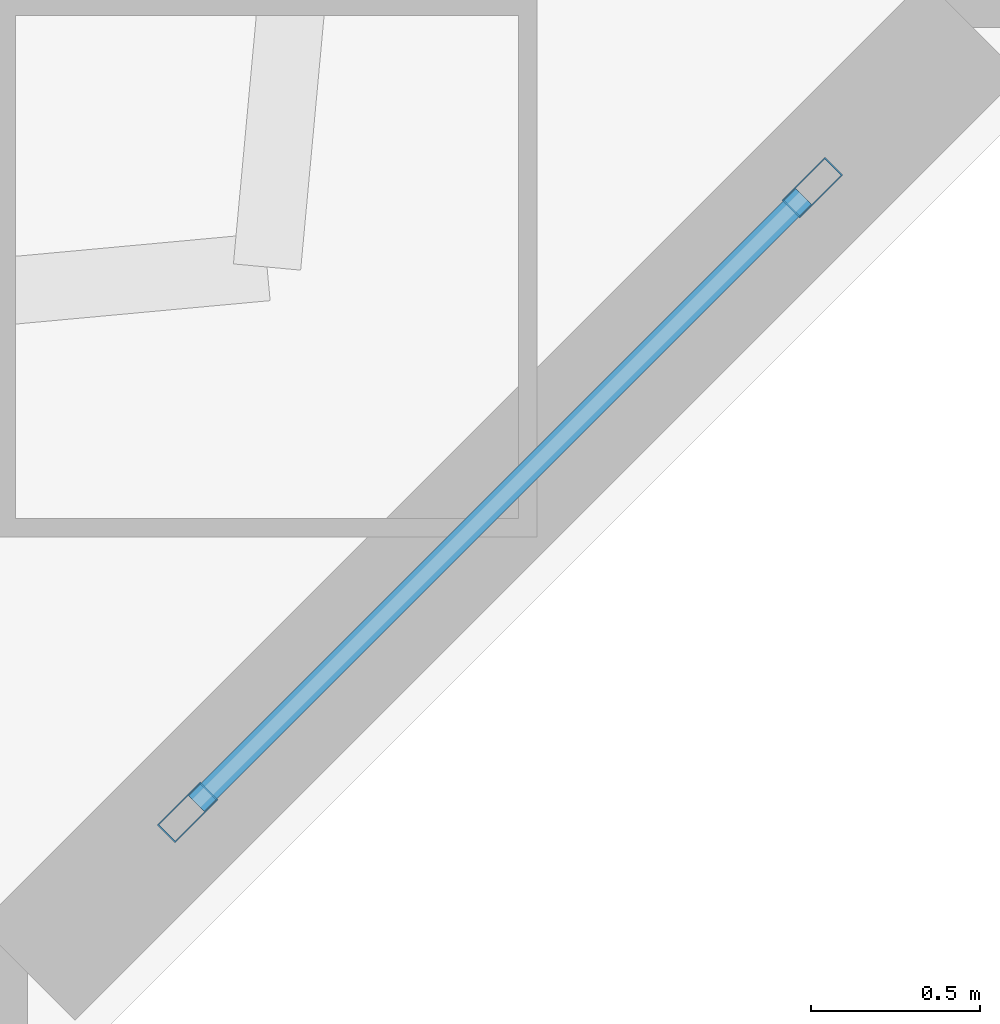
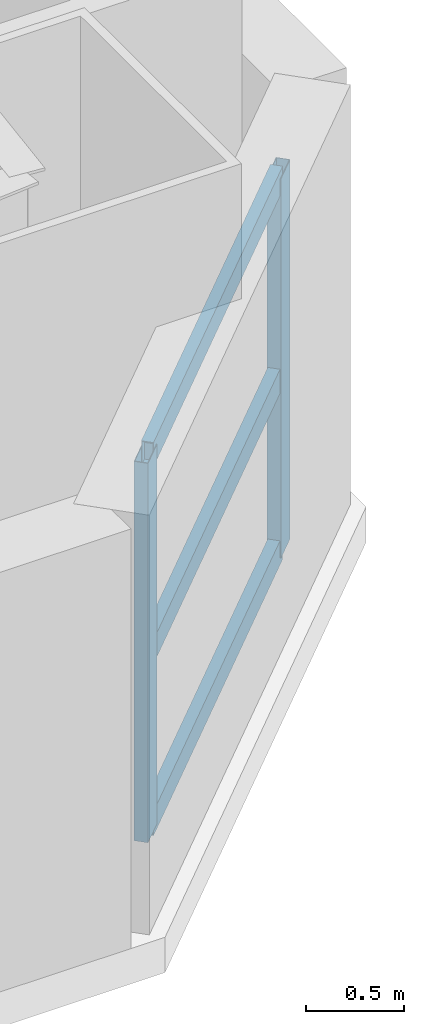
# One storey, part 3 of 24: 5 members, 1 element without a shape of its own.
"""IFC4 building model written with IfcOpenShell, lengths in metres."""

import ifcopenshell
import ifcopenshell.guid

model = None  # the IFC model being written
_history = None  # IfcOwnerHistory: only IFC2X3 demands one
_inside = {}  # id of a spatial element -> (the spatial element, [elements in it])
_under = {}  # id of a project, library or spatial element -> (it, [spatial elements below it])
_declared = {}  # id of a project -> (the project, [libraries it declares])
_typed = {}  # id of a type object -> (the type object, [elements of that type])
_made_of = {}  # id of a material, layer set ... -> (it, [elements and type objects made of it])


def new_model(schema):
    """Start an empty IFC model of exactly this schema.

    Asked for "IFC4X3", IfcOpenShell would pick the latest addendum, in which some entities
    have other attributes; the version numbers below select the first issue.
    IFC2X3 requires an IfcOwnerHistory on every rooted entity: one is made here for all.
    """
    global model, _history
    if schema == "IFC4X3":
        model = ifcopenshell.file(schema_version=(4, 3, 0, 0))
    else:
        model = ifcopenshell.file(schema=schema)
    _inside.clear()
    _under.clear()
    _declared.clear()
    _typed.clear()
    _made_of.clear()
    _history = None
    if model.schema == "IFC2X3":
        org = make("IfcOrganization", Name="unknown")
        user = make(
            "IfcPersonAndOrganization",
            ThePerson=make("IfcPerson", FamilyName="unknown"),
            TheOrganization=org,
        )
        app = make(
            "IfcApplication",
            ApplicationDeveloper=org,
            Version="unknown",
            ApplicationFullName="unknown",
            ApplicationIdentifier="unknown",
        )
        _history = make(
            "IfcOwnerHistory",
            OwningUser=user,
            OwningApplication=app,
            ChangeAction="ADDED",
            CreationDate=0,
        )
    return model


def make(cls, **values):
    """One entity of the class cls with the attributes given. An attribute that is None is left unset."""
    return model.create_entity(
        cls, **{name: value for name, value in values.items() if value is not None}
    )


def rooted(cls, **values):
    """An entity with a GlobalId (a new one), such as an element, a storey or a relation."""
    return make(cls, GlobalId=ifcopenshell.guid.new(), OwnerHistory=_history, **values)


def si_unit(unit_type, name, prefix=None):
    """IfcSIUnit, for example si_unit("LENGTHUNIT", "METRE", prefix="MILLI")."""
    return make("IfcSIUnit", UnitType=unit_type, Prefix=prefix, Name=name)


def assignment(units):
    """IfcUnitAssignment: the units of a project."""
    return None if units is None else make("IfcUnitAssignment", Units=units)


def point(xyz):
    """IfcCartesianPoint."""
    return None if xyz is None else make("IfcCartesianPoint", Coordinates=xyz)


def direction(xyz):
    """IfcDirection."""
    return None if xyz is None else make("IfcDirection", DirectionRatios=xyz)


def frame(location, z_axis=None, x_axis=None):
    """IfcAxis2Placement3D, a coordinate frame: its origin and axes. An axis left out is left unset."""
    return make(
        "IfcAxis2Placement3D",
        Location=point(location),
        Axis=direction(z_axis),
        RefDirection=direction(x_axis),
    )


def frame_2d(location, x_axis=None):
    """IfcAxis2Placement2D, a coordinate frame in the plane: its origin and x axis."""
    return make(
        "IfcAxis2Placement2D", Location=point(location), RefDirection=direction(x_axis)
    )


def origin():
    """The frame at (0, 0, 0) with its axes left unset."""
    return frame((0.0, 0.0, 0.0))


def origin_2d():
    """The frame at (0, 0) in the plane with its x axis left unset."""
    return frame_2d((0.0, 0.0))


def place(relative_to, where):
    """IfcLocalPlacement: puts the frame where relative to a parent placement (None: the world)."""
    return make(
        "IfcLocalPlacement", PlacementRelTo=relative_to, RelativePlacement=where
    )


def context(
    kind, dimensions, precision=None, world=None, true_north=None, identifier=None
):
    """IfcGeometricRepresentationContext, for example the 3D "Model" context."""
    return make(
        "IfcGeometricRepresentationContext",
        ContextIdentifier=identifier,
        ContextType=kind,
        CoordinateSpaceDimension=dimensions,
        Precision=precision,
        WorldCoordinateSystem=world,
        TrueNorth=true_north,
    )


def subcontext(parent, identifier, kind, view, scale=None):
    """IfcGeometricRepresentationSubContext, for example "Body" below "Model"."""
    return make(
        "IfcGeometricRepresentationSubContext",
        ContextIdentifier=identifier,
        ContextType=kind,
        ParentContext=parent,
        TargetScale=scale,
        TargetView=view,
    )


def project(units=None, contexts=None):
    """IfcProject with its units and contexts."""
    return rooted(
        "IfcProject",
        Name="project",
        RepresentationContexts=contexts,
        UnitsInContext=assignment(units),
    )


def spatial(cls, under=None, at=None, **own):
    """A site, building, storey or space (cls), placed at a placement, below another one or the project."""
    s = rooted(cls, ObjectPlacement=at, **own)
    if under is not None:
        _under.setdefault(under.id(), (under, []))[1].append(s)
    return s


def profile(cls, at=None, kind="AREA", **sizes):
    """A parametric profile (cls). Its sizes go by their IFC names, for example OverallWidth=200.0."""
    return make(cls, ProfileType=kind, Position=at, **sizes)


def hollow_rectangle(**sizes):
    """IfcRectangleHollowProfileDef."""
    return profile("IfcRectangleHollowProfileDef", **sizes)


def extrude(swept, where, along, depth):
    """IfcExtrudedAreaSolid: the profile swept, set in the frame where, extruded along a direction by depth."""
    return make(
        "IfcExtrudedAreaSolid",
        SweptArea=swept,
        Position=where,
        ExtrudedDirection=direction(along),
        Depth=depth,
    )


def shape(context_of_items, identifier, shape_type, items):
    """IfcShapeRepresentation: the items that make up one representation, for example the "Body"."""
    return make(
        "IfcShapeRepresentation",
        ContextOfItems=context_of_items,
        RepresentationIdentifier=identifier,
        RepresentationType=shape_type,
        Items=items,
    )


def material(Name=None, Category=None):
    """IfcMaterial."""
    return make("IfcMaterial", Name=Name, Category=Category)


def layer(
    of_material, thickness, ventilated=None, Name=None, Category=None, Priority=None
):
    """IfcMaterialLayer: one layer of a wall or slab, of a material (None: an air gap)."""
    return make(
        "IfcMaterialLayer",
        Material=of_material,
        LayerThickness=thickness,
        IsVentilated=ventilated,
        Name=Name,
        Category=Category,
        Priority=Priority,
    )


def layer_set(layers, Name=None):
    """IfcMaterialLayerSet."""
    return make("IfcMaterialLayerSet", MaterialLayers=layers, LayerSetName=Name)


def material_profile(
    of_material, cross_section, Name=None, Category=None, Priority=None
):
    """IfcMaterialProfile: a cross section and its material."""
    return make(
        "IfcMaterialProfile",
        Name=Name,
        Material=of_material,
        Profile=cross_section,
        Priority=Priority,
        Category=Category,
    )


def profile_set(profiles, Name=None, composite=None):
    """IfcMaterialProfileSet."""
    return make(
        "IfcMaterialProfileSet",
        Name=Name,
        MaterialProfiles=profiles,
        CompositeProfile=composite,
    )


def made_of(thing, what):
    """Note that an element or type object is made of a material, layer set ...; save() writes the relation."""
    if what is not None:
        _made_of.setdefault(what.id(), (what, []))[1].append(thing)
    return thing


def type_object(cls, material=None, **own):
    """A type object (cls), such as IfcWallType, which elements share."""
    return made_of(rooted(cls, **own), material)


def element(
    cls,
    number,
    at=None,
    inside=None,
    cuts=None,
    type_object=None,
    material=None,
    context=None,
    identifier="Body",
    shape_type=None,
    held_by="IfcProductDefinitionShape",
    body=None,
    shapes=None,
    **own,
):
    """One element of the class cls, such as IfcWall. Its Tag is "e" and its number.

    at: its placement. inside: the storey or other place that contains it. cuts: it is an
    opening in that element (IfcRelVoidsElement). A single representation is given by context,
    identifier, shape_type and body (its items); several are given by shapes. held_by: the class
    of the entity that holds the representations. save() writes the other relations.
    """
    e = rooted(cls, Tag="e%d" % number, ObjectPlacement=at, **own)
    if body is not None:
        shapes = [shape(context, identifier, shape_type, body)]
    if shapes is not None:
        e.Representation = make(held_by, Representations=shapes)
    if inside is not None:
        _inside.setdefault(inside.id(), (inside, []))[1].append(e)
    if cuts is not None:
        rooted(
            "IfcRelVoidsElement", RelatingBuildingElement=cuts, RelatedOpeningElement=e
        )
    if type_object is not None:
        _typed.setdefault(type_object.id(), (type_object, []))[1].append(e)
    return made_of(e, material)


def aggregate(whole, parts):
    """IfcRelAggregates: a whole, such as a stair, and the parts it consists of."""
    return rooted("IfcRelAggregates", RelatingObject=whole, RelatedObjects=parts)


def save(model, path):
    """Write the relations noted so far, then the file.

    IfcRelAggregates (storeys below a building ...), IfcRelContainedInSpatialStructure (elements
    in a storey), IfcRelDefinesByType, IfcRelAssociatesMaterial and IfcRelDeclares: one each for
    every whole, place, type object, material and project.
    """
    for whole, parts in _under.values():
        aggregate(whole, parts)
    for where, things in _inside.values():
        rooted(
            "IfcRelContainedInSpatialStructure",
            RelatedElements=things,
            RelatingStructure=where,
        )
    for kind, things in _typed.values():
        rooted("IfcRelDefinesByType", RelatedObjects=things, RelatingType=kind)
    for what, things in _made_of.values():
        rooted("IfcRelAssociatesMaterial", RelatedObjects=things, RelatingMaterial=what)
    for by, libraries in _declared.values():
        rooted("IfcRelDeclares", RelatingContext=by, RelatedDefinitions=libraries)
    model.write(path)


model = new_model("IFC4")

# Units and contexts
model_context = context("Model", 3, precision=1e-05, world=origin(), true_north=direction((0.0, 1.0)))
body_context = subcontext(model_context, "Body", "Model", "MODEL_VIEW")
ifc_project = project(units=[si_unit("LENGTHUNIT", "METRE"), si_unit("AREAUNIT", "SQUARE_METRE"), si_unit("VOLUMEUNIT", "CUBIC_METRE"), si_unit("PLANEANGLEUNIT", "RADIAN"), si_unit("MASSUNIT", "GRAM", prefix="KILO")], contexts=[model_context])

# Site, building, storey
site_placement = place(None, origin())
site = spatial("IfcSite", under=ifc_project, at=site_placement, CompositionType="ELEMENT")
building_placement = place(site_placement, origin())
building = spatial("IfcBuilding", under=site, at=building_placement, Name="Qiaolan Cultural Towers", CompositionType="ELEMENT")
storey_placement = place(building_placement, frame((0.0, 0.0, 120.75)))
storey = spatial("IfcBuildingStorey", under=building, at=storey_placement, Name="L31", CompositionType="ELEMENT", Elevation=120.75)

# Curtain wall, members
ifc_material_1 = material(Name="Unitized Anodized Aluminium Curtain Wall System", Category="aluminium")
ifc_layer = layer(ifc_material_1, 0.199951171875)
ifc_layer_set = layer_set([ifc_layer], Name="Unitized Anodized Aluminium Curtain Wall System")
curtain_wall_type = type_object("IfcCurtainWallType", Name="CWS-03", PredefinedType="NOTDEFINED", material=ifc_layer_set)
curtain_wall_placement = place(storey_placement, origin())
curtain_wall = element("IfcCurtainWall", 1, at=curtain_wall_placement, inside=storey, type_object=curtain_wall_type, Name="L31 T1 Chamfer Wind-Corner Feature Curtain Wall 2", PredefinedType="NOTDEFINED")
ifc_material_2 = material(Name="Extruded Aluminium 6063-T6", Category="aluminium")
ifc_material_profile_1 = material_profile(ifc_material_2, hollow_rectangle(XDim=0.074951171875, YDim=0.179931640625, WallThickness=0.00390625, at=origin_2d()), Name="CWM-180x75x4")
ifc_profile_set_1 = profile_set([ifc_material_profile_1], Name="Extruded Aluminium 6063-T6")
member_type_1 = type_object("IfcMemberType", Name="CWS-03-MUL", PredefinedType="MULLION", material=ifc_profile_set_1)
member_1_placement = place(storey_placement, frame((48.325439453125, 8.525390625, 0.14990234375), z_axis=(0.0, 0.0, 1.0), x_axis=(0.707106781187, -0.707106781187, 0.0)))
member_1 = element("IfcMember", 2, at=member_1_placement, type_object=member_type_1, Name="CW-3 mullion 1", PredefinedType="MULLION", context=body_context, shape_type="SweptSolid", body=[
    extrude(hollow_rectangle(XDim=0.074951171875, YDim=0.179931640625, WallThickness=0.00390625, at=origin_2d()), origin(), (0.0, 0.0, 1.0), 2.360107421875),
])
member_2_placement = place(storey_placement, frame((46.474609375, 6.674560546875, 0.14990234375), z_axis=(0.0, 0.0, 1.0), x_axis=(0.707106781187, -0.707106781187, 0.0)))
member_2 = element("IfcMember", 3, at=member_2_placement, type_object=member_type_1, Name="CW-3 mullion 2", PredefinedType="MULLION", context=body_context, shape_type="SweptSolid", body=[
    extrude(hollow_rectangle(XDim=0.074951171875, YDim=0.179931640625, WallThickness=0.00390625, at=origin_2d()), origin(), (0.0, 0.0, 1.0), 2.360107421875),
])
ifc_material_3 = material(Name="Extruded Aluminium 6063-T6", Category="aluminium")
ifc_material_profile_2 = material_profile(ifc_material_3, hollow_rectangle(XDim=0.06494140625, YDim=0.14990234375, WallThickness=0.00390625, at=origin_2d()), Name="CWT-150x65x4")
ifc_profile_set_2 = profile_set([ifc_material_profile_2], Name="Extruded Aluminium 6063-T6")
member_type_2 = type_object("IfcMemberType", Name="CWS-03-TRN", PredefinedType="USERDEFINED", material=ifc_profile_set_2)
member_3_placement = place(storey_placement, frame((48.299072265625, 8.4990234375, 0.1826171875), z_axis=(-0.707106781187, -0.707106781187, 0.0), x_axis=(0.707106781187, -0.707106781187, 0.0)))
member_3 = element("IfcMember", 4, at=member_3_placement, type_object=member_type_2, Name="CW-3 transom 1.1", ObjectType="TRANSOM", PredefinedType="USERDEFINED", context=body_context, shape_type="SweptSolid", body=[
    extrude(hollow_rectangle(XDim=0.06494140625, YDim=0.14990234375, WallThickness=0.00390625, at=origin_2d()), origin(), (0.0, 0.0, 1.0), 2.54296875),
])
member_4_placement = place(storey_placement, frame((48.299072265625, 8.4990234375, 1.25), z_axis=(-0.707106781187, -0.707106781187, 0.0), x_axis=(0.707106781187, -0.707106781187, 0.0)))
member_4 = element("IfcMember", 5, at=member_4_placement, type_object=member_type_2, Name="CW-3 transom 1.2", ObjectType="TRANSOM", PredefinedType="USERDEFINED", context=body_context, shape_type="SweptSolid", body=[
    extrude(hollow_rectangle(XDim=0.06494140625, YDim=0.14990234375, WallThickness=0.00390625, at=origin_2d()), origin(), (0.0, 0.0, 1.0), 2.54296875),
])
member_5_placement = place(storey_placement, frame((48.299072265625, 8.4990234375, 2.4775390625), z_axis=(-0.707106781187, -0.707106781187, 0.0), x_axis=(0.707106781187, -0.707106781187, 0.0)))
member_5 = element("IfcMember", 6, at=member_5_placement, type_object=member_type_2, Name="CW-3 transom 1.3", ObjectType="TRANSOM", PredefinedType="USERDEFINED", context=body_context, shape_type="SweptSolid", body=[
    extrude(hollow_rectangle(XDim=0.06494140625, YDim=0.14990234375, WallThickness=0.00390625, at=origin_2d()), origin(), (0.0, 0.0, 1.0), 2.54296875),
])
aggregate(curtain_wall, [member_1, member_2, member_3, member_4, member_5])

save(model, "model.ifc")
